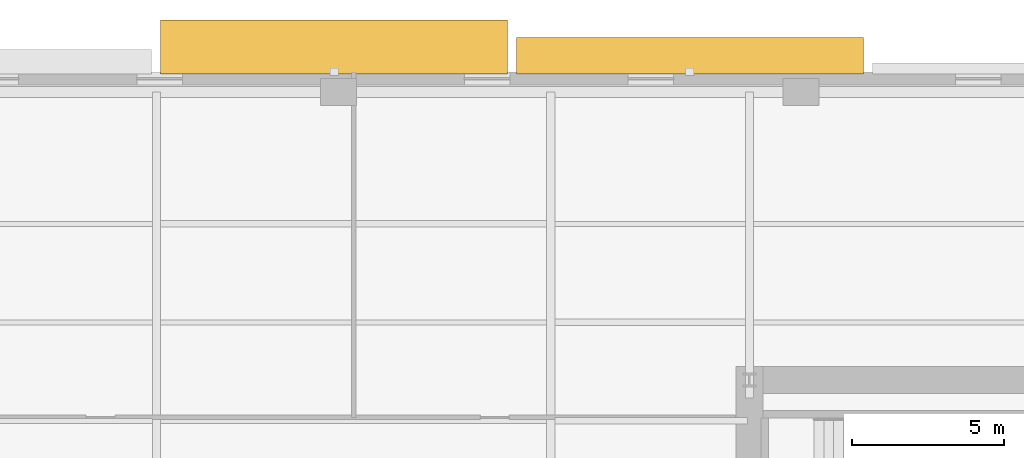
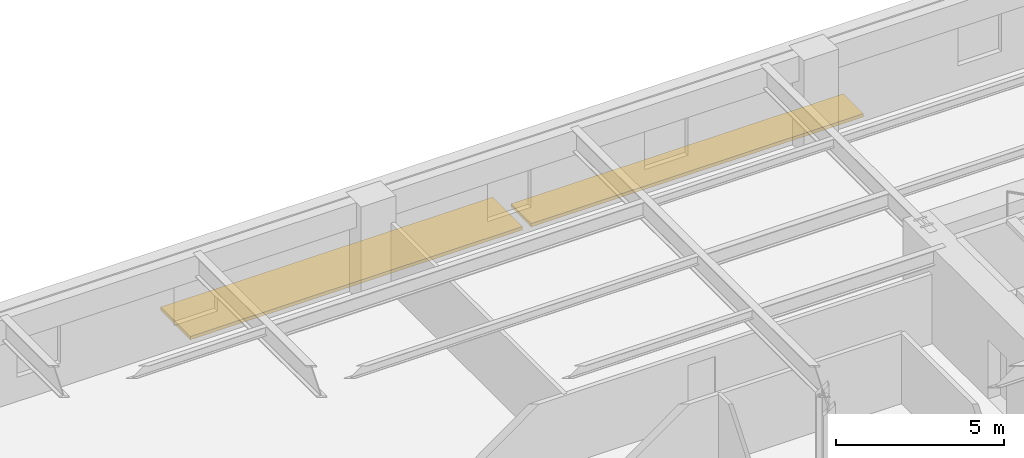
# One storey, part 14 of 14: 2 shading devices.
"""IFC4 building model written with IfcOpenShell, lengths in metres."""

import ifcopenshell
import ifcopenshell.guid

model = None  # the IFC model being written
_history = None  # IfcOwnerHistory: only IFC2X3 demands one
_inside = {}  # id of a spatial element -> (the spatial element, [elements in it])
_under = {}  # id of a project, library or spatial element -> (it, [spatial elements below it])
_declared = {}  # id of a project -> (the project, [libraries it declares])
_typed = {}  # id of a type object -> (the type object, [elements of that type])
_made_of = {}  # id of a material, layer set ... -> (it, [elements and type objects made of it])


def new_model(schema):
    """Start an empty IFC model of exactly this schema.

    Asked for "IFC4X3", IfcOpenShell would pick the latest addendum, in which some entities
    have other attributes; the version numbers below select the first issue.
    IFC2X3 requires an IfcOwnerHistory on every rooted entity: one is made here for all.
    """
    global model, _history
    if schema == "IFC4X3":
        model = ifcopenshell.file(schema_version=(4, 3, 0, 0))
    else:
        model = ifcopenshell.file(schema=schema)
    _inside.clear()
    _under.clear()
    _declared.clear()
    _typed.clear()
    _made_of.clear()
    _history = None
    if model.schema == "IFC2X3":
        org = make("IfcOrganization", Name="unknown")
        user = make(
            "IfcPersonAndOrganization",
            ThePerson=make("IfcPerson", FamilyName="unknown"),
            TheOrganization=org,
        )
        app = make(
            "IfcApplication",
            ApplicationDeveloper=org,
            Version="unknown",
            ApplicationFullName="unknown",
            ApplicationIdentifier="unknown",
        )
        _history = make(
            "IfcOwnerHistory",
            OwningUser=user,
            OwningApplication=app,
            ChangeAction="ADDED",
            CreationDate=0,
        )
    return model


def make(cls, **values):
    """One entity of the class cls with the attributes given. An attribute that is None is left unset."""
    return model.create_entity(
        cls, **{name: value for name, value in values.items() if value is not None}
    )


def rooted(cls, **values):
    """An entity with a GlobalId (a new one), such as an element, a storey or a relation."""
    return make(cls, GlobalId=ifcopenshell.guid.new(), OwnerHistory=_history, **values)


def si_unit(unit_type, name, prefix=None):
    """IfcSIUnit, for example si_unit("LENGTHUNIT", "METRE", prefix="MILLI")."""
    return make("IfcSIUnit", UnitType=unit_type, Prefix=prefix, Name=name)


def assignment(units):
    """IfcUnitAssignment: the units of a project."""
    return None if units is None else make("IfcUnitAssignment", Units=units)


def point(xyz):
    """IfcCartesianPoint."""
    return None if xyz is None else make("IfcCartesianPoint", Coordinates=xyz)


def direction(xyz):
    """IfcDirection."""
    return None if xyz is None else make("IfcDirection", DirectionRatios=xyz)


def frame(location, z_axis=None, x_axis=None):
    """IfcAxis2Placement3D, a coordinate frame: its origin and axes. An axis left out is left unset."""
    return make(
        "IfcAxis2Placement3D",
        Location=point(location),
        Axis=direction(z_axis),
        RefDirection=direction(x_axis),
    )


def frame_2d(location, x_axis=None):
    """IfcAxis2Placement2D, a coordinate frame in the plane: its origin and x axis."""
    return make(
        "IfcAxis2Placement2D", Location=point(location), RefDirection=direction(x_axis)
    )


def origin():
    """The frame at (0, 0, 0) with its axes left unset."""
    return frame((0.0, 0.0, 0.0))


def origin_2d():
    """The frame at (0, 0) in the plane with its x axis left unset."""
    return frame_2d((0.0, 0.0))


def place(relative_to, where):
    """IfcLocalPlacement: puts the frame where relative to a parent placement (None: the world)."""
    return make(
        "IfcLocalPlacement", PlacementRelTo=relative_to, RelativePlacement=where
    )


def context(
    kind, dimensions, precision=None, world=None, true_north=None, identifier=None
):
    """IfcGeometricRepresentationContext, for example the 3D "Model" context."""
    return make(
        "IfcGeometricRepresentationContext",
        ContextIdentifier=identifier,
        ContextType=kind,
        CoordinateSpaceDimension=dimensions,
        Precision=precision,
        WorldCoordinateSystem=world,
        TrueNorth=true_north,
    )


def subcontext(parent, identifier, kind, view, scale=None):
    """IfcGeometricRepresentationSubContext, for example "Body" below "Model"."""
    return make(
        "IfcGeometricRepresentationSubContext",
        ContextIdentifier=identifier,
        ContextType=kind,
        ParentContext=parent,
        TargetScale=scale,
        TargetView=view,
    )


def project(units=None, contexts=None):
    """IfcProject with its units and contexts."""
    return rooted(
        "IfcProject",
        Name="project",
        RepresentationContexts=contexts,
        UnitsInContext=assignment(units),
    )


def spatial(cls, under=None, at=None, **own):
    """A site, building, storey or space (cls), placed at a placement, below another one or the project."""
    s = rooted(cls, ObjectPlacement=at, **own)
    if under is not None:
        _under.setdefault(under.id(), (under, []))[1].append(s)
    return s


def profile(cls, at=None, kind="AREA", **sizes):
    """A parametric profile (cls). Its sizes go by their IFC names, for example OverallWidth=200.0."""
    return make(cls, ProfileType=kind, Position=at, **sizes)


def rectangle(**sizes):
    """IfcRectangleProfileDef."""
    return profile("IfcRectangleProfileDef", **sizes)


def extrude(swept, where, along, depth):
    """IfcExtrudedAreaSolid: the profile swept, set in the frame where, extruded along a direction by depth."""
    return make(
        "IfcExtrudedAreaSolid",
        SweptArea=swept,
        Position=where,
        ExtrudedDirection=direction(along),
        Depth=depth,
    )


def shape(context_of_items, identifier, shape_type, items):
    """IfcShapeRepresentation: the items that make up one representation, for example the "Body"."""
    return make(
        "IfcShapeRepresentation",
        ContextOfItems=context_of_items,
        RepresentationIdentifier=identifier,
        RepresentationType=shape_type,
        Items=items,
    )


def material(Name=None, Category=None):
    """IfcMaterial."""
    return make("IfcMaterial", Name=Name, Category=Category)


def made_of(thing, what):
    """Note that an element or type object is made of a material, layer set ...; save() writes the relation."""
    if what is not None:
        _made_of.setdefault(what.id(), (what, []))[1].append(thing)
    return thing


def type_object(cls, material=None, **own):
    """A type object (cls), such as IfcWallType, which elements share."""
    return made_of(rooted(cls, **own), material)


def element(
    cls,
    number,
    at=None,
    inside=None,
    cuts=None,
    type_object=None,
    material=None,
    context=None,
    identifier="Body",
    shape_type=None,
    held_by="IfcProductDefinitionShape",
    body=None,
    shapes=None,
    **own,
):
    """One element of the class cls, such as IfcWall. Its Tag is "e" and its number.

    at: its placement. inside: the storey or other place that contains it. cuts: it is an
    opening in that element (IfcRelVoidsElement). A single representation is given by context,
    identifier, shape_type and body (its items); several are given by shapes. held_by: the class
    of the entity that holds the representations. save() writes the other relations.
    """
    e = rooted(cls, Tag="e%d" % number, ObjectPlacement=at, **own)
    if body is not None:
        shapes = [shape(context, identifier, shape_type, body)]
    if shapes is not None:
        e.Representation = make(held_by, Representations=shapes)
    if inside is not None:
        _inside.setdefault(inside.id(), (inside, []))[1].append(e)
    if cuts is not None:
        rooted(
            "IfcRelVoidsElement", RelatingBuildingElement=cuts, RelatedOpeningElement=e
        )
    if type_object is not None:
        _typed.setdefault(type_object.id(), (type_object, []))[1].append(e)
    return made_of(e, material)


def aggregate(whole, parts):
    """IfcRelAggregates: a whole, such as a stair, and the parts it consists of."""
    return rooted("IfcRelAggregates", RelatingObject=whole, RelatedObjects=parts)


def save(model, path):
    """Write the relations noted so far, then the file.

    IfcRelAggregates (storeys below a building ...), IfcRelContainedInSpatialStructure (elements
    in a storey), IfcRelDefinesByType, IfcRelAssociatesMaterial and IfcRelDeclares: one each for
    every whole, place, type object, material and project.
    """
    for whole, parts in _under.values():
        aggregate(whole, parts)
    for where, things in _inside.values():
        rooted(
            "IfcRelContainedInSpatialStructure",
            RelatedElements=things,
            RelatingStructure=where,
        )
    for kind, things in _typed.values():
        rooted("IfcRelDefinesByType", RelatedObjects=things, RelatingType=kind)
    for what, things in _made_of.values():
        rooted("IfcRelAssociatesMaterial", RelatedObjects=things, RelatingMaterial=what)
    for by, libraries in _declared.values():
        rooted("IfcRelDeclares", RelatingContext=by, RelatedDefinitions=libraries)
    model.write(path)


model = new_model("IFC4")

# Units and contexts
model_context = context("Model", 3, precision=1e-05, world=origin(), true_north=direction((0.0, 1.0)))
body_context = subcontext(model_context, "Body", "Model", "MODEL_VIEW")
ifc_project = project(units=[si_unit("LENGTHUNIT", "METRE"), si_unit("AREAUNIT", "SQUARE_METRE"), si_unit("VOLUMEUNIT", "CUBIC_METRE"), si_unit("PLANEANGLEUNIT", "RADIAN"), si_unit("MASSUNIT", "GRAM", prefix="KILO")], contexts=[model_context])

# Site, building, storey
site_placement = place(None, origin())
site = spatial("IfcSite", under=ifc_project, at=site_placement, CompositionType="ELEMENT")
building_placement = place(site_placement, origin())
building = spatial("IfcBuilding", under=site, at=building_placement, Name="Kolvaren Arena Tower", CompositionType="ELEMENT")
storey_placement = place(building_placement, frame((0.0, 0.0, 57.0)))
storey = spatial("IfcBuildingStorey", under=building, at=storey_placement, Name="L11", CompositionType="ELEMENT", Elevation=57.0)

# Shading devices
ifc_material = material(Name="Architectural precast GFRC and anodised aluminium sunshade", Category="concrete")
shading_device_type_1 = type_object("IfcShadingDeviceType", Name="SHAD-SINE-A", PredefinedType="USERDEFINED", material=ifc_material)
shading_device_1_placement = place(storey_placement, frame((48.590087890625, 50.0498046875, -0.14013671875), z_axis=(0.0, 0.0, 1.0), x_axis=(1.0, 0.0, 0.0)))
element("IfcShadingDevice", 1, at=shading_device_1_placement, inside=storey, type_object=shading_device_type_1, Name="Sinusoidal Slab-Edge Sunshade Louvre (L11)", ObjectType="LOUVRE", PredefinedType="USERDEFINED", context=body_context, shape_type="SweptSolid", body=[
    extrude(rectangle(XDim=11.43994140625, YDim=1.19970703125, at=origin_2d()), origin(), (0.0, 0.0, 1.0), 0.1201171875),
])
shading_device_type_2 = type_object("IfcShadingDeviceType", Name="SHAD-SINE-B", PredefinedType="JALOUSIE", material=ifc_material)
shading_device_2_placement = place(storey_placement, frame((36.85009765625, 50.33642578125, -0.14013671875), z_axis=(0.0, 0.0, 1.0), x_axis=(1.0, 0.0, 0.0)))
element("IfcShadingDevice", 2, at=shading_device_2_placement, inside=storey, type_object=shading_device_type_2, Name="Sinusoidal Slab-Edge Sunshade Louvre (L11)", PredefinedType="JALOUSIE", context=body_context, shape_type="SweptSolid", body=[
    extrude(rectangle(XDim=11.43994140625, YDim=1.772705078125, at=origin_2d()), origin(), (0.0, 0.0, 1.0), 0.1201171875),
])

save(model, "model.ifc")
